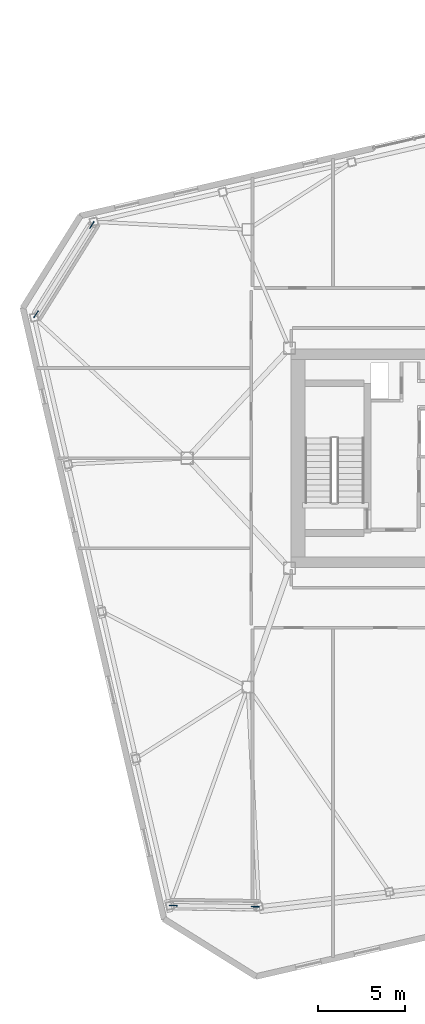
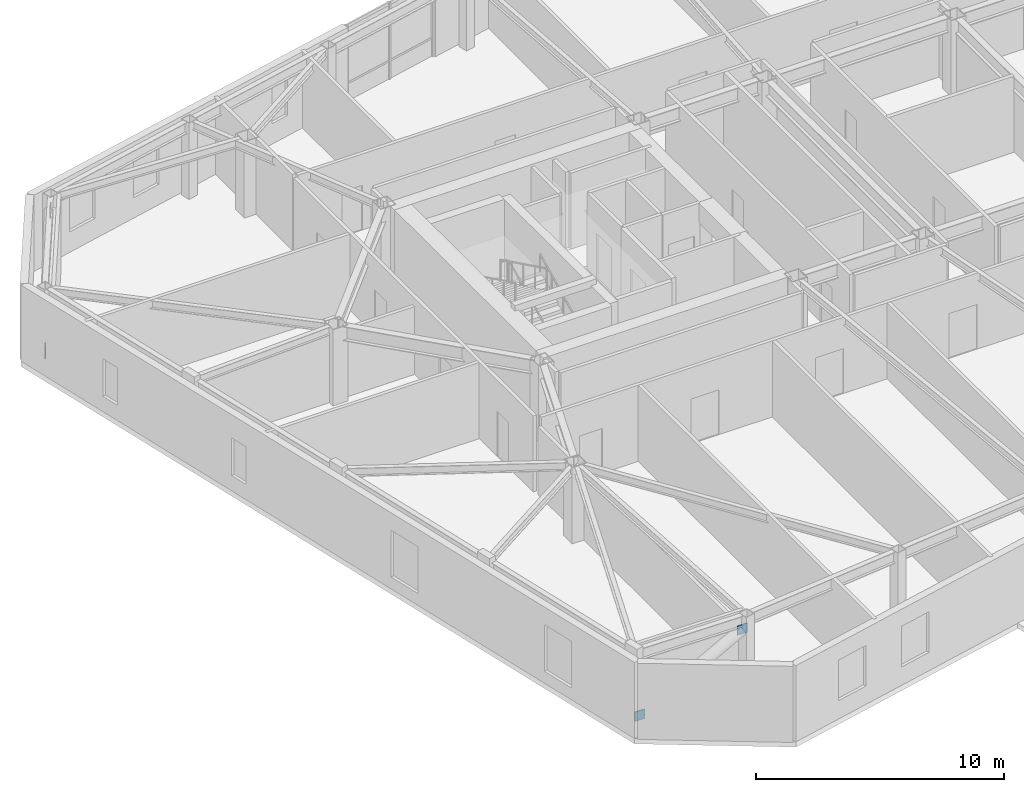
# One storey, part 20 of 23: 4 discrete accessories.
"""IFC4 building model written with IfcOpenShell, lengths in metres."""

from ifc_helpers import new_model, si_unit, direction, frame, origin, origin_2d, place, context, subcontext, project, spatial, rectangle, extrude, material, type_object, element, save


model = new_model("IFC4")

# Units and contexts
model_context = context("Model", 3, precision=1e-05, world=origin(), true_north=direction((0.0, 1.0)))
body_context = subcontext(model_context, "Body", "Model", "MODEL_VIEW")
ifc_project = project(units=[si_unit("LENGTHUNIT", "METRE"), si_unit("AREAUNIT", "SQUARE_METRE"), si_unit("VOLUMEUNIT", "CUBIC_METRE"), si_unit("PLANEANGLEUNIT", "RADIAN"), si_unit("MASSUNIT", "GRAM", prefix="KILO")], contexts=[model_context])

# Site, building, storey
site_placement = place(None, origin())
site = spatial("IfcSite", under=ifc_project, at=site_placement, CompositionType="ELEMENT")
building_placement = place(site_placement, origin())
building = spatial("IfcBuilding", under=site, at=building_placement, Name="Tavrogorsk Clinical Tower", CompositionType="ELEMENT")
storey_placement = place(building_placement, frame((0.0, 0.0, 289.0)))
storey = spatial("IfcBuildingStorey", under=building, at=storey_placement, Name="L67", CompositionType="ELEMENT", Elevation=289.0)

# Discrete accessories
ifc_material = material(Name="Structural steel S440", Category="steel")
discrete_accessory_type = type_object("IfcDiscreteAccessoryType", Name="GussetPlateBracket_25", PredefinedType="BRACKET", material=ifc_material)
for number, where, z_axis, x_axis, name in (
    (1, (-36.72265625, 8.30908203125, 0.163330078125), (0.0, 0.0, 1.0), (0.529919264233, 0.848048096156, 0.0), "L67 Brace Gusset Plate EXOCRN-L67-3-A"),
    (2, (-33.501708984375, 13.4638671875, 2.81689453125), (0.0, 0.0, 1.0), (0.529919264233, 0.848048096156, 0.0), "L67 Brace Gusset Plate EXOCRN-L67-3-B"),
    (3, (-28.794677734375, -25.821533203125, 0.182861328125), (0.0, 0.0, 1.0), (0.999914327574, -0.013089595571, 0.0), "L67 Brace Gusset Plate EXOCRN-L67-4-A"),
    (4, (-24.07080078125, -25.883056640625, 2.797119140625), (0.0, 0.0, 1.0), (0.999914327574, -0.013089595571, 0.0), "L67 Brace Gusset Plate EXOCRN-L67-4-B"),
):
    element("IfcDiscreteAccessory", number, at=place(storey_placement, frame(where, z_axis=z_axis, x_axis=x_axis)), inside=storey, type_object=discrete_accessory_type, Name=name, PredefinedType="BRACKET", context=body_context, shape_type="SweptSolid", body=[
        extrude(rectangle(XDim=0.4599609375, YDim=0.0400390625, at=origin_2d()), origin(), (0.0, 0.0, 1.0), 0.4599609375),
    ])

save(model, "model.ifc")
